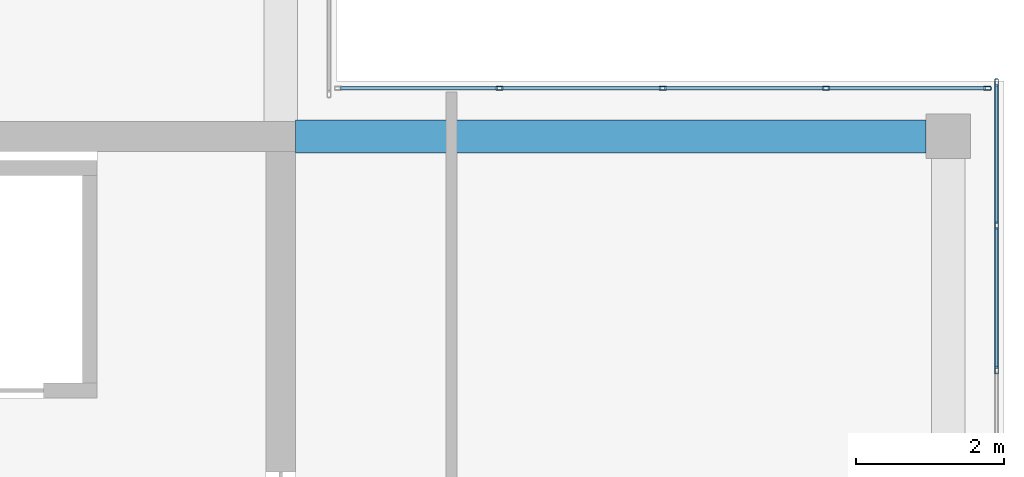
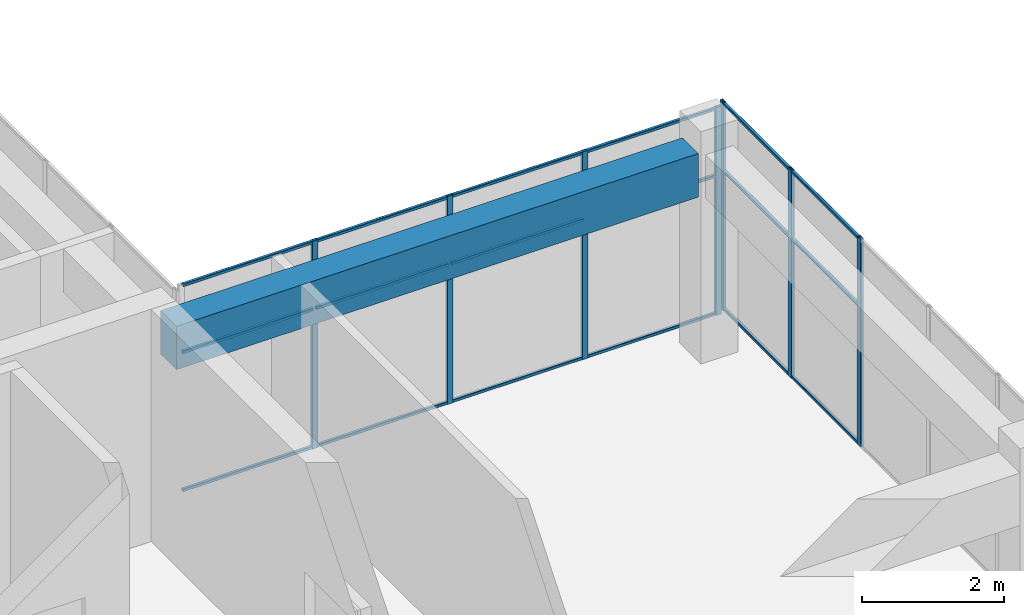
# One storey, part 20 of 35: 25 members, 1 beam, 2 elements without a shape of their own.
"""IFC4 building model written with IfcOpenShell, lengths in metres."""

from ifc_helpers import new_model, si_unit, direction, frame, origin, origin_2d, place, context, subcontext, project, spatial, rectangle, hollow_rectangle, extrude, material, layer, layer_set, material_profile, profile_set, type_object, element, aggregate, save


model = new_model("IFC4")

# Units and contexts
model_context = context("Model", 3, precision=1e-05, world=origin(), true_north=direction((0.0, 1.0)))
body_context = subcontext(model_context, "Body", "Model", "MODEL_VIEW")
ifc_project = project(units=[si_unit("LENGTHUNIT", "METRE"), si_unit("AREAUNIT", "SQUARE_METRE"), si_unit("VOLUMEUNIT", "CUBIC_METRE"), si_unit("PLANEANGLEUNIT", "RADIAN"), si_unit("MASSUNIT", "GRAM", prefix="KILO")], contexts=[model_context])

# Site, building, storey
site_placement = place(None, origin())
site = spatial("IfcSite", under=ifc_project, at=site_placement, CompositionType="ELEMENT")
building_placement = place(site_placement, origin())
building = spatial("IfcBuilding", under=site, at=building_placement, Name="Tuart Plaza Theatre", CompositionType="ELEMENT")
storey_placement = place(building_placement, frame((0.0, 0.0, 49.5)))
storey = spatial("IfcBuildingStorey", under=building, at=storey_placement, Name="L12", CompositionType="ELEMENT", Elevation=49.5)

# Beam
ifc_material_1 = material(Name="Concrete N40 (40 MPa)", Category="concrete")
ifc_material_profile_1 = material_profile(ifc_material_1, rectangle(XDim=0.449951171875, YDim=0.75, at=origin_2d()), Name="BEAM 450x750 Concrete N40 (40 MPa)")
ifc_profile_set_1 = profile_set([ifc_material_profile_1], Name="Concrete N40 (40 MPa)")
beam_type = type_object("IfcBeamType", Name="BEAM 450x750 Concrete N40 (40 MPa)", PredefinedType="BEAM", material=ifc_profile_set_1)
beam_placement = place(storey_placement, frame((141.199951171875, 83.0, 3.205078125), z_axis=(1.0, 0.0, 0.0), x_axis=(0.0, 1.0, 0.0)))
element("IfcBeam", 1, at=beam_placement, inside=storey, type_object=beam_type, Name="RB308", PredefinedType="BEAM", context=body_context, shape_type="SweptSolid", body=[
    extrude(rectangle(XDim=0.449951171875, YDim=0.75, at=origin_2d()), origin(), (0.0, 0.0, 1.0), 8.5),
])

# Curtain wall, members
ifc_material_2 = material(Name="Aluminium and glass", Category="aluminium")
ifc_layer = layer(ifc_material_2, 0.10009765625)
ifc_layer_set = layer_set([ifc_layer], Name="CURTAIN WALL 2000 module")
curtain_wall_type = type_object("IfcCurtainWallType", Name="CURTAIN WALL 2000 module", PredefinedType="NOTDEFINED", material=ifc_layer_set)
curtain_wall_1_placement = place(storey_placement, origin())
curtain_wall_1 = element("IfcCurtainWall", 2, at=curtain_wall_1_placement, inside=storey, type_object=curtain_wall_type, Name="CW102", PredefinedType="NOTDEFINED")
ifc_material_3 = material(Name="Aluminium 6063-T5", Category="aluminium")
ifc_material_profile_2 = material_profile(ifc_material_3, hollow_rectangle(XDim=0.050048828125, YDim=0.10009765625, WallThickness=0.00390625, InnerFilletRadius=0.00390625, OuterFilletRadius=0.008056640625, at=origin_2d()), Name="RHS 100x50x4")
ifc_profile_set_2 = profile_set([ifc_material_profile_2], Name="Aluminium 6063-T5")
member_type_1 = type_object("IfcMemberType", Name="MULLION RHS 100x50x4", PredefinedType="MULLION", material=ifc_profile_set_2)
member_1_placement = place(storey_placement, frame((150.64990234375, 79.85009765625, 0.0), z_axis=(0.0, 0.0, 1.0), x_axis=(-1.0, 0.0, 0.0)))
member_1 = element("IfcMember", 3, at=member_1_placement, type_object=member_type_1, Name="CW102 mullion 9", PredefinedType="MULLION", context=body_context, shape_type="SweptSolid", body=[
    extrude(hollow_rectangle(XDim=0.050048828125, YDim=0.10009765625, WallThickness=0.00390625, InnerFilletRadius=0.00390625, OuterFilletRadius=0.008056640625, at=origin_2d()), origin(), (0.0, 0.0, 1.0), 3.580078125),
])
member_2_placement = place(storey_placement, frame((150.64990234375, 81.800048828125, 0.0), z_axis=(0.0, 0.0, 1.0), x_axis=(-1.0, 0.0, 0.0)))
member_2 = element("IfcMember", 4, at=member_2_placement, type_object=member_type_1, Name="CW102 mullion 10", PredefinedType="MULLION", context=body_context, shape_type="SweptSolid", body=[
    extrude(hollow_rectangle(XDim=0.050048828125, YDim=0.10009765625, WallThickness=0.00390625, InnerFilletRadius=0.00390625, OuterFilletRadius=0.008056640625, at=origin_2d()), origin(), (0.0, 0.0, 1.0), 3.580078125),
])
member_3_placement = place(storey_placement, frame((150.64990234375, 83.72509765625, 0.0), z_axis=(0.0, 0.0, 1.0), x_axis=(-1.0, 0.0, 0.0)))
member_3 = element("IfcMember", 5, at=member_3_placement, type_object=member_type_1, Name="CW102 mullion 11", PredefinedType="MULLION", context=body_context, shape_type="SweptSolid", body=[
    extrude(hollow_rectangle(XDim=0.050048828125, YDim=0.10009765625, WallThickness=0.00390625, InnerFilletRadius=0.00390625, OuterFilletRadius=0.008056640625, at=origin_2d()), origin(), (0.0, 0.0, 1.0), 3.580078125),
])

curtain_wall_2_placement = place(storey_placement, origin())
curtain_wall_2 = element("IfcCurtainWall", 6, at=curtain_wall_2_placement, inside=storey, type_object=curtain_wall_type, Name="CW103", PredefinedType="NOTDEFINED")
member_4_placement = place(storey_placement, frame((150.52490234375, 83.64990234375, 0.0), z_axis=(0.0, 0.0, 1.0), x_axis=(0.0, -1.0, 0.0)))
member_4 = element("IfcMember", 7, at=member_4_placement, type_object=member_type_1, Name="CW103 mullion 1", PredefinedType="MULLION", context=body_context, shape_type="SweptSolid", body=[
    extrude(hollow_rectangle(XDim=0.050048828125, YDim=0.10009765625, WallThickness=0.00390625, InnerFilletRadius=0.00390625, OuterFilletRadius=0.008056640625, at=origin_2d()), origin(), (0.0, 0.0, 1.0), 3.580078125),
])
member_5_placement = place(storey_placement, frame((148.35009765625, 83.64990234375, 0.0), z_axis=(0.0, 0.0, 1.0), x_axis=(0.0, -1.0, 0.0)))
member_5 = element("IfcMember", 8, at=member_5_placement, type_object=member_type_1, Name="CW103 mullion 2", PredefinedType="MULLION", context=body_context, shape_type="SweptSolid", body=[
    extrude(hollow_rectangle(XDim=0.050048828125, YDim=0.10009765625, WallThickness=0.00390625, InnerFilletRadius=0.00390625, OuterFilletRadius=0.008056640625, at=origin_2d()), origin(), (0.0, 0.0, 1.0), 3.580078125),
])
member_6_placement = place(storey_placement, frame((146.14990234375, 83.64990234375, 0.0), z_axis=(0.0, 0.0, 1.0), x_axis=(0.0, -1.0, 0.0)))
member_6 = element("IfcMember", 9, at=member_6_placement, type_object=member_type_1, Name="CW103 mullion 3", PredefinedType="MULLION", context=body_context, shape_type="SweptSolid", body=[
    extrude(hollow_rectangle(XDim=0.050048828125, YDim=0.10009765625, WallThickness=0.00390625, InnerFilletRadius=0.00390625, OuterFilletRadius=0.008056640625, at=origin_2d()), origin(), (0.0, 0.0, 1.0), 3.580078125),
])
member_7_placement = place(storey_placement, frame((143.949951171875, 83.64990234375, 0.0), z_axis=(0.0, 0.0, 1.0), x_axis=(0.0, -1.0, 0.0)))
member_7 = element("IfcMember", 10, at=member_7_placement, type_object=member_type_1, Name="CW103 mullion 4", PredefinedType="MULLION", context=body_context, shape_type="SweptSolid", body=[
    extrude(hollow_rectangle(XDim=0.050048828125, YDim=0.10009765625, WallThickness=0.00390625, InnerFilletRadius=0.00390625, OuterFilletRadius=0.008056640625, at=origin_2d()), origin(), (0.0, 0.0, 1.0), 3.580078125),
])

# Member
ifc_material_4 = material(Name="Aluminium 6063-T5", Category="aluminium")
ifc_material_profile_3 = material_profile(ifc_material_4, hollow_rectangle(XDim=0.050048828125, YDim=0.050048828125, WallThickness=0.00390625, InnerFilletRadius=0.00390625, OuterFilletRadius=0.008056640625, at=origin_2d()), Name="RHS 50x50x4")
ifc_profile_set_3 = profile_set([ifc_material_profile_3], Name="Aluminium 6063-T5")
member_type_2 = type_object("IfcMemberType", Name="TRANSOM RHS 50x50x4", PredefinedType="USERDEFINED", material=ifc_profile_set_3)
member_8_placement = place(storey_placement, frame((150.64990234375, 79.875, 0.02490234375), z_axis=(0.0, 1.0, 0.0), x_axis=(-1.0, 0.0, 0.0)))
member_8 = element("IfcMember", 11, at=member_8_placement, type_object=member_type_2, Name="CW102 transom 9.1", ObjectType="TRANSOM", PredefinedType="USERDEFINED", context=body_context, shape_type="SweptSolid", body=[
    extrude(hollow_rectangle(XDim=0.050048828125, YDim=0.050048828125, WallThickness=0.00390625, InnerFilletRadius=0.00390625, OuterFilletRadius=0.008056640625, at=origin_2d()), origin(), (0.0, 0.0, 1.0), 1.89990234375),
])

member_9_placement = place(storey_placement, frame((150.64990234375, 79.875, 2.39990234375), z_axis=(0.0, 1.0, 0.0), x_axis=(-1.0, 0.0, 0.0)))
member_9 = element("IfcMember", 12, at=member_9_placement, type_object=member_type_2, Name="CW102 transom 9.2", ObjectType="TRANSOM", PredefinedType="USERDEFINED", context=body_context, shape_type="SweptSolid", body=[
    extrude(hollow_rectangle(XDim=0.050048828125, YDim=0.050048828125, WallThickness=0.00390625, InnerFilletRadius=0.00390625, OuterFilletRadius=0.008056640625, at=origin_2d()), origin(), (0.0, 0.0, 1.0), 1.89990234375),
])

member_10_placement = place(storey_placement, frame((150.64990234375, 79.875, 3.554931640625), z_axis=(0.0, 1.0, 0.0), x_axis=(-1.0, 0.0, 0.0)))
member_10 = element("IfcMember", 13, at=member_10_placement, type_object=member_type_2, Name="CW102 transom 9.3", ObjectType="TRANSOM", PredefinedType="USERDEFINED", context=body_context, shape_type="SweptSolid", body=[
    extrude(hollow_rectangle(XDim=0.050048828125, YDim=0.050048828125, WallThickness=0.00390625, InnerFilletRadius=0.00390625, OuterFilletRadius=0.008056640625, at=origin_2d()), origin(), (0.0, 0.0, 1.0), 1.89990234375),
])

member_11_placement = place(storey_placement, frame((150.64990234375, 81.824951171875, 0.02490234375), z_axis=(0.0, 1.0, 0.0), x_axis=(-1.0, 0.0, 0.0)))
member_11 = element("IfcMember", 14, at=member_11_placement, type_object=member_type_2, Name="CW102 transom 10.1", ObjectType="TRANSOM", PredefinedType="USERDEFINED", context=body_context, shape_type="SweptSolid", body=[
    extrude(hollow_rectangle(XDim=0.050048828125, YDim=0.050048828125, WallThickness=0.00390625, InnerFilletRadius=0.00390625, OuterFilletRadius=0.008056640625, at=origin_2d()), origin(), (0.0, 0.0, 1.0), 1.875),
])

member_12_placement = place(storey_placement, frame((150.64990234375, 81.824951171875, 2.39990234375), z_axis=(0.0, 1.0, 0.0), x_axis=(-1.0, 0.0, 0.0)))
member_12 = element("IfcMember", 15, at=member_12_placement, type_object=member_type_2, Name="CW102 transom 10.2", ObjectType="TRANSOM", PredefinedType="USERDEFINED", context=body_context, shape_type="SweptSolid", body=[
    extrude(hollow_rectangle(XDim=0.050048828125, YDim=0.050048828125, WallThickness=0.00390625, InnerFilletRadius=0.00390625, OuterFilletRadius=0.008056640625, at=origin_2d()), origin(), (0.0, 0.0, 1.0), 1.875),
])

member_13_placement = place(storey_placement, frame((150.64990234375, 81.824951171875, 3.554931640625), z_axis=(0.0, 1.0, 0.0), x_axis=(-1.0, 0.0, 0.0)))
member_13 = element("IfcMember", 16, at=member_13_placement, type_object=member_type_2, Name="CW102 transom 10.3", ObjectType="TRANSOM", PredefinedType="USERDEFINED", context=body_context, shape_type="SweptSolid", body=[
    extrude(hollow_rectangle(XDim=0.050048828125, YDim=0.050048828125, WallThickness=0.00390625, InnerFilletRadius=0.00390625, OuterFilletRadius=0.008056640625, at=origin_2d()), origin(), (0.0, 0.0, 1.0), 1.875),
])

aggregate(curtain_wall_1, [member_1, member_2, member_3, member_8, member_9, member_10, member_11, member_12, member_13])

member_14_placement = place(storey_placement, frame((150.5, 83.64990234375, 0.02490234375), z_axis=(-1.0, 0.0, 0.0), x_axis=(0.0, -1.0, 0.0)))
member_14 = element("IfcMember", 17, at=member_14_placement, type_object=member_type_2, Name="CW103 transom 1.1", ObjectType="TRANSOM", PredefinedType="USERDEFINED", context=body_context, shape_type="SweptSolid", body=[
    extrude(hollow_rectangle(XDim=0.050048828125, YDim=0.050048828125, WallThickness=0.00390625, InnerFilletRadius=0.00390625, OuterFilletRadius=0.008056640625, at=origin_2d()), origin(), (0.0, 0.0, 1.0), 2.125),
])

member_15_placement = place(storey_placement, frame((150.5, 83.64990234375, 2.39990234375), z_axis=(-1.0, 0.0, 0.0), x_axis=(0.0, -1.0, 0.0)))
member_15 = element("IfcMember", 18, at=member_15_placement, type_object=member_type_2, Name="CW103 transom 1.2", ObjectType="TRANSOM", PredefinedType="USERDEFINED", context=body_context, shape_type="SweptSolid", body=[
    extrude(hollow_rectangle(XDim=0.050048828125, YDim=0.050048828125, WallThickness=0.00390625, InnerFilletRadius=0.00390625, OuterFilletRadius=0.008056640625, at=origin_2d()), origin(), (0.0, 0.0, 1.0), 2.125),
])

member_16_placement = place(storey_placement, frame((150.5, 83.64990234375, 3.554931640625), z_axis=(-1.0, 0.0, 0.0), x_axis=(0.0, -1.0, 0.0)))
member_16 = element("IfcMember", 19, at=member_16_placement, type_object=member_type_2, Name="CW103 transom 1.3", ObjectType="TRANSOM", PredefinedType="USERDEFINED", context=body_context, shape_type="SweptSolid", body=[
    extrude(hollow_rectangle(XDim=0.050048828125, YDim=0.050048828125, WallThickness=0.00390625, InnerFilletRadius=0.00390625, OuterFilletRadius=0.008056640625, at=origin_2d()), origin(), (0.0, 0.0, 1.0), 2.125),
])

member_17_placement = place(storey_placement, frame((148.324951171875, 83.64990234375, 0.02490234375), z_axis=(-1.0, 0.0, 0.0), x_axis=(0.0, -1.0, 0.0)))
member_17 = element("IfcMember", 20, at=member_17_placement, type_object=member_type_2, Name="CW103 transom 2.1", ObjectType="TRANSOM", PredefinedType="USERDEFINED", context=body_context, shape_type="SweptSolid", body=[
    extrude(hollow_rectangle(XDim=0.050048828125, YDim=0.050048828125, WallThickness=0.00390625, InnerFilletRadius=0.00390625, OuterFilletRadius=0.008056640625, at=origin_2d()), origin(), (0.0, 0.0, 1.0), 2.14990234375),
])

member_18_placement = place(storey_placement, frame((148.324951171875, 83.64990234375, 2.39990234375), z_axis=(-1.0, 0.0, 0.0), x_axis=(0.0, -1.0, 0.0)))
member_18 = element("IfcMember", 21, at=member_18_placement, type_object=member_type_2, Name="CW103 transom 2.2", ObjectType="TRANSOM", PredefinedType="USERDEFINED", context=body_context, shape_type="SweptSolid", body=[
    extrude(hollow_rectangle(XDim=0.050048828125, YDim=0.050048828125, WallThickness=0.00390625, InnerFilletRadius=0.00390625, OuterFilletRadius=0.008056640625, at=origin_2d()), origin(), (0.0, 0.0, 1.0), 2.14990234375),
])

member_19_placement = place(storey_placement, frame((148.324951171875, 83.64990234375, 3.554931640625), z_axis=(-1.0, 0.0, 0.0), x_axis=(0.0, -1.0, 0.0)))
member_19 = element("IfcMember", 22, at=member_19_placement, type_object=member_type_2, Name="CW103 transom 2.3", ObjectType="TRANSOM", PredefinedType="USERDEFINED", context=body_context, shape_type="SweptSolid", body=[
    extrude(hollow_rectangle(XDim=0.050048828125, YDim=0.050048828125, WallThickness=0.00390625, InnerFilletRadius=0.00390625, OuterFilletRadius=0.008056640625, at=origin_2d()), origin(), (0.0, 0.0, 1.0), 2.14990234375),
])

member_20_placement = place(storey_placement, frame((146.125, 83.64990234375, 0.02490234375), z_axis=(-1.0, 0.0, 0.0), x_axis=(0.0, -1.0, 0.0)))
member_20 = element("IfcMember", 23, at=member_20_placement, type_object=member_type_2, Name="CW103 transom 3.1", ObjectType="TRANSOM", PredefinedType="USERDEFINED", context=body_context, shape_type="SweptSolid", body=[
    extrude(hollow_rectangle(XDim=0.050048828125, YDim=0.050048828125, WallThickness=0.00390625, InnerFilletRadius=0.00390625, OuterFilletRadius=0.008056640625, at=origin_2d()), origin(), (0.0, 0.0, 1.0), 2.14990234375),
])

member_21_placement = place(storey_placement, frame((146.125, 83.64990234375, 2.39990234375), z_axis=(-1.0, 0.0, 0.0), x_axis=(0.0, -1.0, 0.0)))
member_21 = element("IfcMember", 24, at=member_21_placement, type_object=member_type_2, Name="CW103 transom 3.2", ObjectType="TRANSOM", PredefinedType="USERDEFINED", context=body_context, shape_type="SweptSolid", body=[
    extrude(hollow_rectangle(XDim=0.050048828125, YDim=0.050048828125, WallThickness=0.00390625, InnerFilletRadius=0.00390625, OuterFilletRadius=0.008056640625, at=origin_2d()), origin(), (0.0, 0.0, 1.0), 2.14990234375),
])

member_22_placement = place(storey_placement, frame((146.125, 83.64990234375, 3.554931640625), z_axis=(-1.0, 0.0, 0.0), x_axis=(0.0, -1.0, 0.0)))
member_22 = element("IfcMember", 25, at=member_22_placement, type_object=member_type_2, Name="CW103 transom 3.3", ObjectType="TRANSOM", PredefinedType="USERDEFINED", context=body_context, shape_type="SweptSolid", body=[
    extrude(hollow_rectangle(XDim=0.050048828125, YDim=0.050048828125, WallThickness=0.00390625, InnerFilletRadius=0.00390625, OuterFilletRadius=0.008056640625, at=origin_2d()), origin(), (0.0, 0.0, 1.0), 2.14990234375),
])

member_23_placement = place(storey_placement, frame((143.925048828125, 83.64990234375, 0.02490234375), z_axis=(-1.0, 0.0, 0.0), x_axis=(0.0, -1.0, 0.0)))
member_23 = element("IfcMember", 26, at=member_23_placement, type_object=member_type_2, Name="CW103 transom 4.1", ObjectType="TRANSOM", PredefinedType="USERDEFINED", context=body_context, shape_type="SweptSolid", body=[
    extrude(hollow_rectangle(XDim=0.050048828125, YDim=0.050048828125, WallThickness=0.00390625, InnerFilletRadius=0.00390625, OuterFilletRadius=0.008056640625, at=origin_2d()), origin(), (0.0, 0.0, 1.0), 2.125),
])

member_24_placement = place(storey_placement, frame((143.925048828125, 83.64990234375, 2.39990234375), z_axis=(-1.0, 0.0, 0.0), x_axis=(0.0, -1.0, 0.0)))
member_24 = element("IfcMember", 27, at=member_24_placement, type_object=member_type_2, Name="CW103 transom 4.2", ObjectType="TRANSOM", PredefinedType="USERDEFINED", context=body_context, shape_type="SweptSolid", body=[
    extrude(hollow_rectangle(XDim=0.050048828125, YDim=0.050048828125, WallThickness=0.00390625, InnerFilletRadius=0.00390625, OuterFilletRadius=0.008056640625, at=origin_2d()), origin(), (0.0, 0.0, 1.0), 2.125),
])

member_25_placement = place(storey_placement, frame((143.925048828125, 83.64990234375, 3.554931640625), z_axis=(-1.0, 0.0, 0.0), x_axis=(0.0, -1.0, 0.0)))
member_25 = element("IfcMember", 28, at=member_25_placement, type_object=member_type_2, Name="CW103 transom 4.3", ObjectType="TRANSOM", PredefinedType="USERDEFINED", context=body_context, shape_type="SweptSolid", body=[
    extrude(hollow_rectangle(XDim=0.050048828125, YDim=0.050048828125, WallThickness=0.00390625, InnerFilletRadius=0.00390625, OuterFilletRadius=0.008056640625, at=origin_2d()), origin(), (0.0, 0.0, 1.0), 2.125),
])

aggregate(curtain_wall_2, [member_4, member_5, member_6, member_7, member_14, member_15, member_16, member_17, member_18, member_19, member_20, member_21, member_22, member_23, member_24, member_25])

save(model, "model.ifc")
